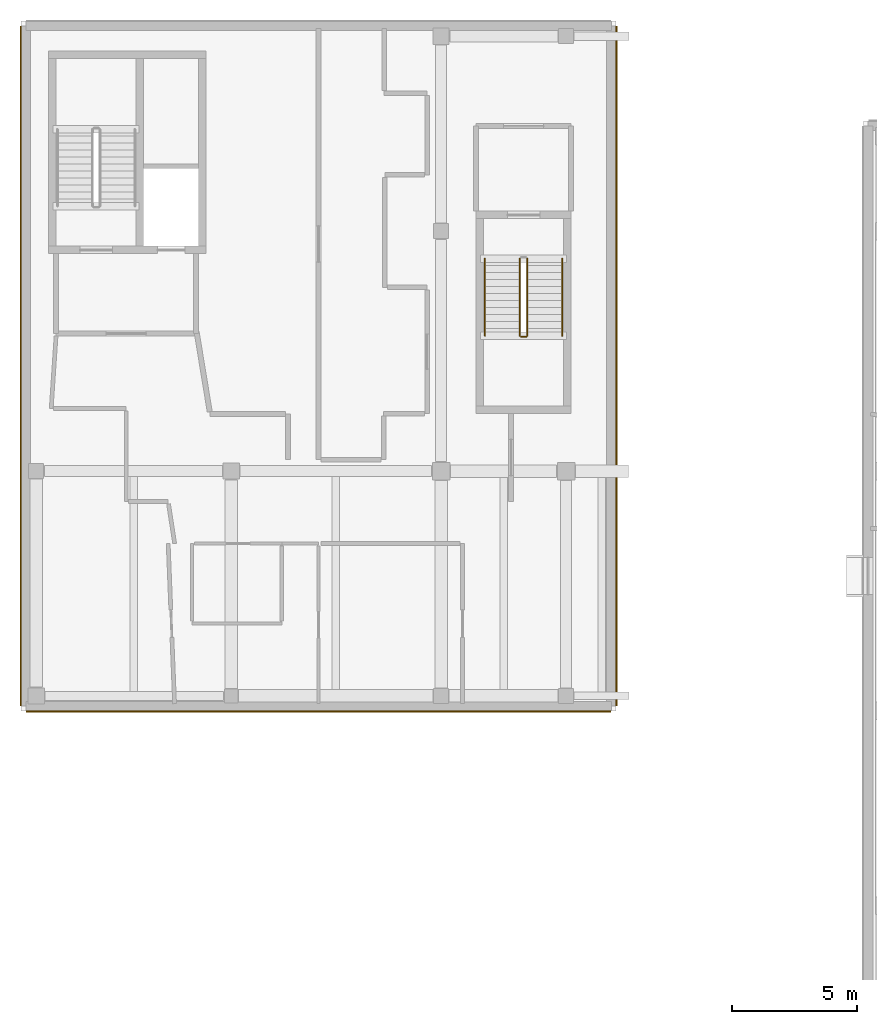
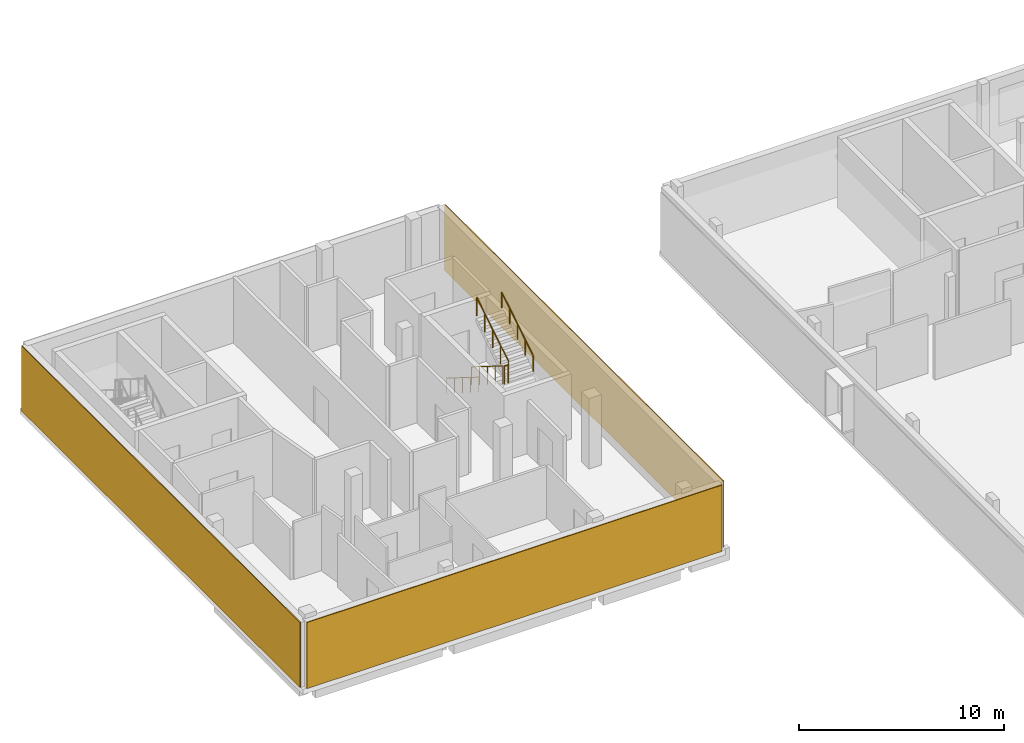
# One storey, part 14 of 18: 5 railings, 3 coverings.
"""IFC4 building model written with IfcOpenShell, lengths in metres."""

from ifc_helpers import new_model, si_unit, direction, frame, origin, origin_2d, place, context, subcontext, project, spatial, rectangle, circle, extrude, material, layer, layer_set, type_object, element, save


model = new_model("IFC4")

# Units and contexts
model_context = context("Model", 3, precision=1e-05, world=origin(), true_north=direction((0.0, 1.0)))
body_context = subcontext(model_context, "Body", "Model", "MODEL_VIEW")
ifc_project = project(units=[si_unit("LENGTHUNIT", "METRE"), si_unit("AREAUNIT", "SQUARE_METRE"), si_unit("VOLUMEUNIT", "CUBIC_METRE"), si_unit("PLANEANGLEUNIT", "RADIAN"), si_unit("MASSUNIT", "GRAM", prefix="KILO")], contexts=[model_context])

# Site, building, storey
site_placement = place(None, origin())
site = spatial("IfcSite", under=ifc_project, at=site_placement, CompositionType="ELEMENT")
building_placement = place(site_placement, origin())
building = spatial("IfcBuilding", under=site, at=building_placement, Name="Mzevani Central Library", CompositionType="ELEMENT")
storey_placement = place(building_placement, frame((0.0, 0.0, 18.300048828125)))
storey = spatial("IfcBuildingStorey", under=building, at=storey_placement, Name="L04", CompositionType="ELEMENT", Elevation=18.300048828125)

# Railings
ifc_material_1 = material(Name="Brushed stainless steel rail", Category="steel")
railing_type_1 = type_object("IfcRailingType", Name="Interior Gallery and Stair Guard 1100", PredefinedType="BALUSTRADE", material=ifc_material_1)
railing_1_placement = place(storey_placement, frame((32.35009765625, 108.5, 0.175048828125)))
element("IfcRailing", 1, at=railing_1_placement, inside=storey, type_object=railing_type_1, Name="L04 ST-04 stair guard 1", PredefinedType="BALUSTRADE", context=body_context, shape_type="SweptSolid", body=[
    extrude(circle(Radius=0.02392578125, at=origin_2d()), frame((0.0, 0.0, 1.076171875), z_axis=(0.0, -0.848028513186, 0.529950602248), x_axis=(1.0, 0.0, 0.0)), (0.0, 0.0, 1.0), 3.632080078125),
    extrude(circle(Radius=0.02099609375, at=origin_2d()), origin(), (0.0, 0.0, 1.0), 1.052001953125),
    extrude(circle(Radius=0.02099609375, at=origin_2d()), frame((0.0, -0.77001953125, 0.481201171875)), (0.0, 0.0, 1.0), 1.052001953125),
    extrude(circle(Radius=0.02099609375, at=origin_2d()), frame((0.0, -1.5400390625, 0.96240234375)), (0.0, 0.0, 1.0), 1.052001953125),
    extrude(circle(Radius=0.02099609375, at=origin_2d()), frame((0.0, -2.31005859375, 1.443603515625)), (0.0, 0.0, 1.0), 1.052001953125),
    extrude(circle(Radius=0.02099609375, at=origin_2d()), frame((0.0, -3.080078125, 1.9248046875)), (0.0, 0.0, 1.0), 1.052001953125),
])
railing_2_placement = place(storey_placement, frame((32.39990234375, 105.3701171875, 2.099853515625)))
element("IfcRailing", 2, at=railing_2_placement, inside=storey, type_object=railing_type_1, Name="L04 ST-04 stair guard 2", PredefinedType="BALUSTRADE", context=body_context, shape_type="SweptSolid", body=[
    extrude(circle(Radius=0.02392578125, at=origin_2d()), frame((0.0, 0.0, 1.076171875), z_axis=(1.0, 0.0, 0.0), x_axis=(0.0, 1.0, 0.0)), (0.0, 0.0, 1.0), 0.2001953125),
    extrude(circle(Radius=0.02099609375, at=origin_2d()), origin(), (0.0, 0.0, 1.0), 1.052001953125),
    extrude(circle(Radius=0.02099609375, at=origin_2d()), frame((0.2001953125, 0.0, 0.0)), (0.0, 0.0, 1.0), 1.052001953125),
])
railing_3_placement = place(storey_placement, frame((32.64990234375, 105.419921875, 2.27490234375)))
element("IfcRailing", 3, at=railing_3_placement, inside=storey, type_object=railing_type_1, Name="L04 ST-04 stair guard 3", PredefinedType="BALUSTRADE", context=body_context, shape_type="SweptSolid", body=[
    extrude(circle(Radius=0.02392578125, at=origin_2d()), frame((0.0, 0.0, 1.076171875), z_axis=(0.0, 0.847998304005, 0.529998940003), x_axis=(-1.0, 0.0, 0.0)), (0.0, 0.0, 1.0), 3.632080078125),
    extrude(circle(Radius=0.02099609375, at=origin_2d()), origin(), (0.0, 0.0, 1.0), 1.052001953125),
    extrude(circle(Radius=0.02099609375, at=origin_2d()), frame((0.0, 0.77001953125, 0.481201171875)), (0.0, 0.0, 1.0), 1.052001953125),
    extrude(circle(Radius=0.02099609375, at=origin_2d()), frame((0.0, 1.5400390625, 0.96240234375)), (0.0, 0.0, 1.0), 1.052001953125),
    extrude(circle(Radius=0.02099609375, at=origin_2d()), frame((0.0, 2.31005859375, 1.44384765625)), (0.0, 0.0, 1.0), 1.052001953125),
    extrude(circle(Radius=0.02099609375, at=origin_2d()), frame((0.0, 3.080078125, 1.925048828125)), (0.0, 0.0, 1.0), 1.052001953125),
])

# Coverings
ifc_material_2 = material(Name="Limestone ashlar cladding", Category="masonry")
ifc_layer = layer(ifc_material_2, 0.050048828125, Name="Limestone Ashlar Spandrel Cladding")
ifc_layer_set = layer_set([ifc_layer], Name="Limestone ashlar cladding")
covering_type = type_object("IfcCoveringType", Name="Limestone Ashlar Spandrel Cladding", PredefinedType="CLADDING", material=ifc_layer_set)
covering_1_placement = place(storey_placement, frame((24.300048828125, 90.3759765625, 0.0), z_axis=(0.0, 0.0, 1.0), x_axis=(-1.0, 0.0, 0.0)))
element("IfcCovering", 4, at=covering_1_placement, inside=storey, type_object=covering_type, Name="L04 Warm-White Facade Cladding (EW4-V2-L04-0032)", PredefinedType="CLADDING", context=body_context, shape_type="SweptSolid", body=[
    extrude(rectangle(XDim=23.3798828125, YDim=0.050048828125, at=origin_2d()), origin(), (0.0, 0.0, 1.0), 3.93994140625),
])
covering_2_placement = place(storey_placement, frame((12.3759765625, 104.199951171875, 0.0), z_axis=(0.0, 0.0, 1.0), x_axis=(0.0, 1.0, 0.0)))
element("IfcCovering", 5, at=covering_2_placement, inside=storey, type_object=covering_type, Name="L04 Warm-White Facade Cladding (EW4-V2-L04-0033)", PredefinedType="CLADDING", context=body_context, shape_type="SweptSolid", body=[
    extrude(rectangle(XDim=27.179931640625, YDim=0.050048828125, at=origin_2d()), origin(), (0.0, 0.0, 1.0), 3.8798828125),
])
covering_3_placement = place(storey_placement, frame((36.22412109375, 104.199951171875, 0.0), z_axis=(0.0, 0.0, 1.0), x_axis=(0.0, -1.0, 0.0)))
element("IfcCovering", 6, at=covering_3_placement, inside=storey, type_object=covering_type, Name="L04 Warm-White Facade Cladding (EW4-V2-L04-0035)", PredefinedType="CLADDING", context=body_context, shape_type="SweptSolid", body=[
    extrude(rectangle(XDim=27.179931640625, YDim=0.050048828125, at=origin_2d()), origin(), (0.0, 0.0, 1.0), 3.93994140625),
])

# Railings
railing_type_2 = type_object("IfcRailingType", Name="Stair Wall Handrail 920", PredefinedType="HANDRAIL", material=ifc_material_1)
railing_4_placement = place(storey_placement, frame((30.949951171875, 108.5, 0.175048828125)))
element("IfcRailing", 7, at=railing_4_placement, inside=storey, type_object=railing_type_2, Name="L04 ST-04 stair handrail 1", PredefinedType="HANDRAIL", context=body_context, shape_type="SweptSolid", body=[
    extrude(circle(Radius=0.02392578125, at=origin_2d()), frame((0.0, 0.0, 0.89599609375), z_axis=(0.0, -0.848028513186, 0.529950602248), x_axis=(1.0, 0.0, 0.0)), (0.0, 0.0, 1.0), 3.632080078125),
    extrude(circle(Radius=0.02099609375, at=origin_2d()), origin(), (0.0, 0.0, 1.0), 0.871826171875),
    extrude(circle(Radius=0.02099609375, at=origin_2d()), frame((0.0, -0.77001953125, 0.481201171875)), (0.0, 0.0, 1.0), 0.871826171875),
    extrude(circle(Radius=0.02099609375, at=origin_2d()), frame((0.0, -1.5400390625, 0.96240234375)), (0.0, 0.0, 1.0), 0.871826171875),
    extrude(circle(Radius=0.02099609375, at=origin_2d()), frame((0.0, -2.31005859375, 1.443603515625)), (0.0, 0.0, 1.0), 0.871826171875),
    extrude(circle(Radius=0.02099609375, at=origin_2d()), frame((0.0, -3.080078125, 1.9248046875)), (0.0, 0.0, 1.0), 0.871826171875),
])
railing_5_placement = place(storey_placement, frame((34.050048828125, 105.419921875, 2.27490234375)))
element("IfcRailing", 8, at=railing_5_placement, inside=storey, type_object=railing_type_2, Name="L04 ST-04 stair handrail 2", PredefinedType="HANDRAIL", context=body_context, shape_type="SweptSolid", body=[
    extrude(circle(Radius=0.02392578125, at=origin_2d()), frame((0.0, 0.0, 0.89599609375), z_axis=(0.0, 0.847998304005, 0.529998940003), x_axis=(-1.0, 0.0, 0.0)), (0.0, 0.0, 1.0), 3.632080078125),
    extrude(circle(Radius=0.02099609375, at=origin_2d()), origin(), (0.0, 0.0, 1.0), 0.871826171875),
    extrude(circle(Radius=0.02099609375, at=origin_2d()), frame((0.0, 0.77001953125, 0.481201171875)), (0.0, 0.0, 1.0), 0.871826171875),
    extrude(circle(Radius=0.02099609375, at=origin_2d()), frame((0.0, 1.5400390625, 0.96240234375)), (0.0, 0.0, 1.0), 0.871826171875),
    extrude(circle(Radius=0.02099609375, at=origin_2d()), frame((0.0, 2.31005859375, 1.44384765625)), (0.0, 0.0, 1.0), 0.871826171875),
    extrude(circle(Radius=0.02099609375, at=origin_2d()), frame((0.0, 3.080078125, 1.925048828125)), (0.0, 0.0, 1.0), 0.871826171875),
])

save(model, "model.ifc")
